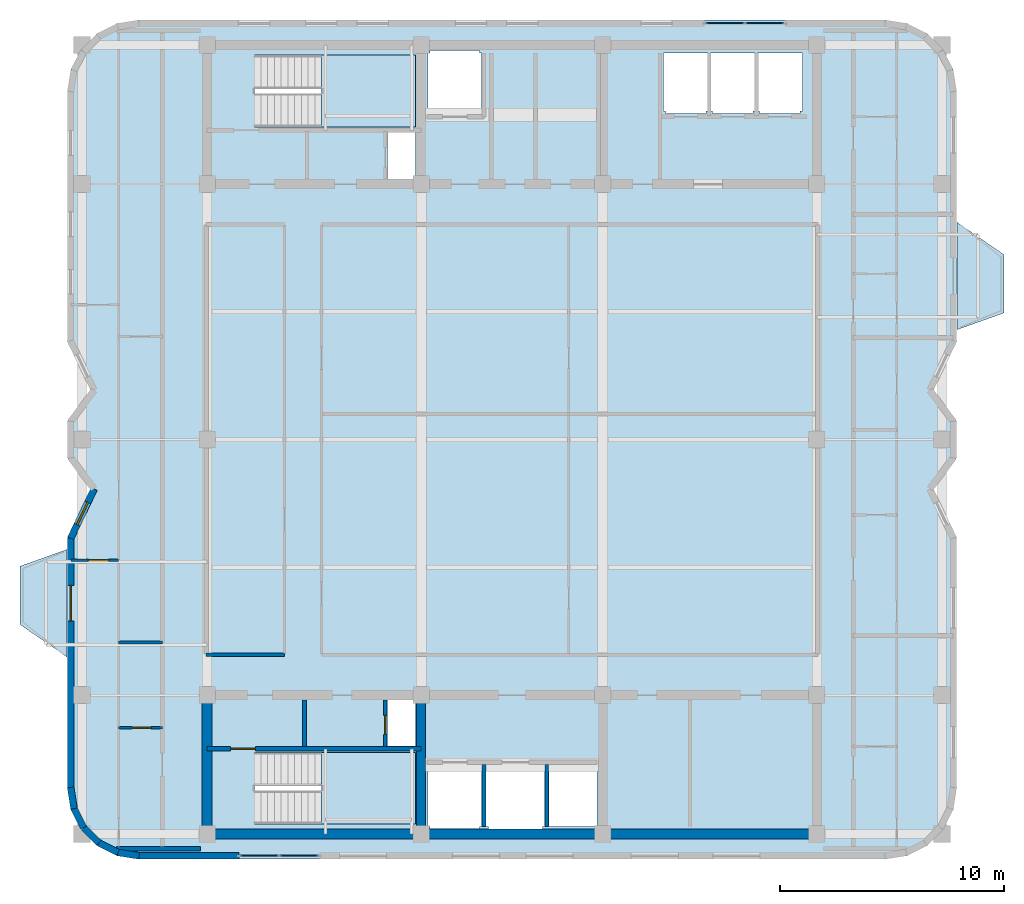
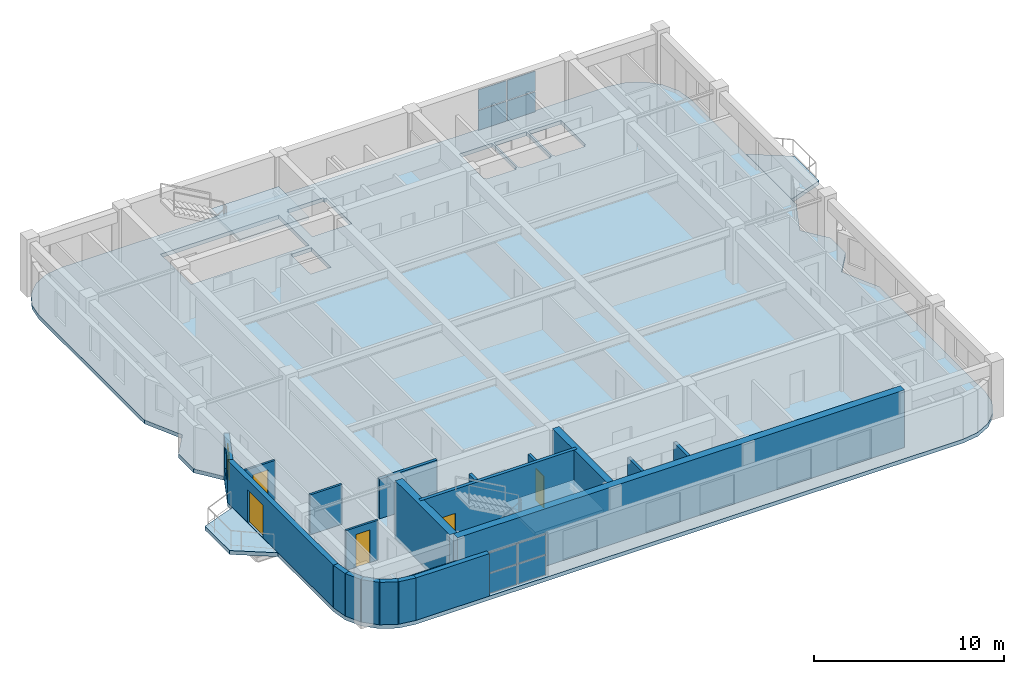
# One storey, part 5 of 11: 21 walls, 8 plates, 5 doors, 5 slabs, 1 window, 6 openings, 4 elements without a shape of their own.
"""IFC4 building model written with IfcOpenShell, lengths in metres."""

from ifc_helpers import new_model, si_unit, direction, frame, frame_2d, origin, origin_2d, place, context, subcontext, project, spatial, polyline, rectangle, outline, extrude, material, layer, layer_set, type_object, element, fill, aggregate, save


model = new_model("IFC4")

# Units and contexts
model_context = context("Model", 3, precision=1e-05, world=origin(), true_north=direction((0.0, 1.0)))
body_context = subcontext(model_context, "Body", "Model", "MODEL_VIEW")
ifc_project = project(units=[si_unit("LENGTHUNIT", "METRE"), si_unit("AREAUNIT", "SQUARE_METRE"), si_unit("VOLUMEUNIT", "CUBIC_METRE"), si_unit("PLANEANGLEUNIT", "RADIAN"), si_unit("MASSUNIT", "GRAM", prefix="KILO")], contexts=[model_context])

# Site, building, storey
site_placement = place(None, origin())
site = spatial("IfcSite", under=ifc_project, at=site_placement, CompositionType="ELEMENT")
building_placement = place(site_placement, origin())
building = spatial("IfcBuilding", under=site, at=building_placement, Name="Svetorya Sky Lyceum", CompositionType="ELEMENT")
storey_placement = place(building_placement, frame((0.0, 0.0, 275.0)))
storey = spatial("IfcBuildingStorey", under=building, at=storey_placement, Name="L69", CompositionType="ELEMENT", Elevation=275.0)

# Curtain wall, plates
ifc_material_1 = material(Name="Thermally broken anodized aluminium and triple low-E glass", Category="aluminium")
curtain_wall_type = type_object("IfcCurtainWallType", Name="CW3-LOG-RES", PredefinedType="NOTDEFINED", material=ifc_material_1)
curtain_wall_1_placement = place(storey_placement, origin())
curtain_wall_1 = element("IfcCurtainWall", 1, at=curtain_wall_1_placement, inside=storey, type_object=curtain_wall_type, Name="L69 Recessed Loggia Curtain Wall 6", PredefinedType="NOTDEFINED")
ifc_material_2 = material(Name="Triple insulated low-E solar-control glass", Category="glass")
ifc_layer_1 = layer(ifc_material_2, 0.048095703125)
ifc_layer_set_1 = layer_set([ifc_layer_1], Name="Triple insulated low-E solar-control glass")
plate_type = type_object("IfcPlateType", Name="CWP-GLZ-48", PredefinedType="CURTAIN_PANEL", material=ifc_layer_set_1)
plate_1_placement = place(storey_placement, frame((27.92626953125, 9.6298828125, 0.0634765625), z_axis=(0.0, 0.0, 1.0), x_axis=(1.0, 0.0, 0.0)))
plate_1 = element("IfcPlate", 2, at=plate_1_placement, type_object=plate_type, Name="CW-3 panel 1.1", PredefinedType="CURTAIN_PANEL", context=body_context, shape_type="SweptSolid", body=[
    extrude(rectangle(XDim=1.70556640625, YDim=0.048095703125, at=origin_2d()), origin(), (0.0, 0.0, 1.0), 1.2705078125),
])
plate_2_placement = place(storey_placement, frame((27.92626953125, 9.6298828125, 1.39599609375), z_axis=(0.0, 0.0, 1.0), x_axis=(1.0, 0.0, 0.0)))
plate_2 = element("IfcPlate", 3, at=plate_2_placement, type_object=plate_type, Name="CW-3 panel 1.2", PredefinedType="CURTAIN_PANEL", context=body_context, shape_type="SweptSolid", body=[
    extrude(rectangle(XDim=1.70556640625, YDim=0.048095703125, at=origin_2d()), origin(), (0.0, 0.0, 1.0), 1.2705078125),
])
plate_3_placement = place(storey_placement, frame((29.69384765625, 9.6298828125, 0.0634765625), z_axis=(0.0, 0.0, 1.0), x_axis=(1.0, 0.0, 0.0)))
plate_3 = element("IfcPlate", 4, at=plate_3_placement, type_object=plate_type, Name="CW-3 panel 2.1", PredefinedType="CURTAIN_PANEL", context=body_context, shape_type="SweptSolid", body=[
    extrude(rectangle(XDim=1.70556640625, YDim=0.048095703125, at=origin_2d()), origin(), (0.0, 0.0, 1.0), 1.2705078125),
])
plate_4_placement = place(storey_placement, frame((29.69384765625, 9.6298828125, 1.39599609375), z_axis=(0.0, 0.0, 1.0), x_axis=(1.0, 0.0, 0.0)))
plate_4 = element("IfcPlate", 5, at=plate_4_placement, type_object=plate_type, Name="CW-3 panel 2.2", PredefinedType="CURTAIN_PANEL", context=body_context, shape_type="SweptSolid", body=[
    extrude(rectangle(XDim=1.70556640625, YDim=0.048095703125, at=origin_2d()), origin(), (0.0, 0.0, 1.0), 1.2705078125),
])
aggregate(curtain_wall_1, [plate_1, plate_2, plate_3, plate_4])

curtain_wall_2_placement = place(storey_placement, origin())
curtain_wall_2 = element("IfcCurtainWall", 6, at=curtain_wall_2_placement, inside=storey, type_object=curtain_wall_type, Name="L69 Recessed Loggia Curtain Wall 24", PredefinedType="NOTDEFINED")
plate_5_placement = place(storey_placement, frame((50.4736328125, 46.77001953125, 0.0634765625), z_axis=(0.0, 0.0, 1.0), x_axis=(-1.0, 0.0, 0.0)))
plate_5 = element("IfcPlate", 7, at=plate_5_placement, type_object=plate_type, Name="CW-3 panel 1.1", PredefinedType="CURTAIN_PANEL", context=body_context, shape_type="SweptSolid", body=[
    extrude(rectangle(XDim=1.70556640625, YDim=0.048095703125, at=origin_2d()), origin(), (0.0, 0.0, 1.0), 1.2705078125),
])
plate_6_placement = place(storey_placement, frame((50.4736328125, 46.77001953125, 1.39599609375), z_axis=(0.0, 0.0, 1.0), x_axis=(-1.0, 0.0, 0.0)))
plate_6 = element("IfcPlate", 8, at=plate_6_placement, type_object=plate_type, Name="CW-3 panel 1.2", PredefinedType="CURTAIN_PANEL", context=body_context, shape_type="SweptSolid", body=[
    extrude(rectangle(XDim=1.70556640625, YDim=0.048095703125, at=origin_2d()), origin(), (0.0, 0.0, 1.0), 1.2705078125),
])
plate_7_placement = place(storey_placement, frame((48.706298828125, 46.77001953125, 0.0634765625), z_axis=(0.0, 0.0, 1.0), x_axis=(-1.0, 0.0, 0.0)))
plate_7 = element("IfcPlate", 9, at=plate_7_placement, type_object=plate_type, Name="CW-3 panel 2.1", PredefinedType="CURTAIN_PANEL", context=body_context, shape_type="SweptSolid", body=[
    extrude(rectangle(XDim=1.70556640625, YDim=0.048095703125, at=origin_2d()), origin(), (0.0, 0.0, 1.0), 1.2705078125),
])
plate_8_placement = place(storey_placement, frame((48.706298828125, 46.77001953125, 1.39599609375), z_axis=(0.0, 0.0, 1.0), x_axis=(-1.0, 0.0, 0.0)))
plate_8 = element("IfcPlate", 10, at=plate_8_placement, type_object=plate_type, Name="CW-3 panel 2.2", PredefinedType="CURTAIN_PANEL", context=body_context, shape_type="SweptSolid", body=[
    extrude(rectangle(XDim=1.70556640625, YDim=0.048095703125, at=origin_2d()), origin(), (0.0, 0.0, 1.0), 1.2705078125),
])
aggregate(curtain_wall_2, [plate_5, plate_6, plate_7, plate_8])

# Slabs
ifc_material_3 = material(Name="Concrete C40/50", Category="concrete")
ifc_layer_2 = layer(ifc_material_3, 0.25)
ifc_layer_set_2 = layer_set([ifc_layer_2], Name="Concrete C40/50")
slab_type_1 = type_object("IfcSlabType", Name="SL-BAL-250", PredefinedType="FLOOR", material=ifc_layer_set_2)
slab_1_placement = place(storey_placement, frame((0.0, 0.0, -0.25)))
element("IfcSlab", 11, at=slab_1_placement, inside=storey, type_object=slab_type_1, Name="L69 Chamfered Loggia Balcony BAL-W1", PredefinedType="FLOOR", context=body_context, shape_type="SweptSolid", body=[
    extrude(outline(polyline([(19.35009765625, 18.5), (19.35009765625, 23.300048828125), (17.25, 22.550048828125), (17.25, 19.949951171875), (19.35009765625, 18.5)])), origin(), (0.0, 0.0, 1.0), 0.25),
])
slab_2_placement = place(storey_placement, frame((0.0, 0.0, -0.25)))
element("IfcSlab", 12, at=slab_2_placement, inside=storey, type_object=slab_type_1, Name="L69 Chamfered Loggia Balcony BAL-E1", PredefinedType="FLOOR", context=body_context, shape_type="SweptSolid", body=[
    extrude(outline(polyline([(59.050048828125, 33.10009765625), (61.14990234375, 33.85009765625), (61.14990234375, 36.449951171875), (59.050048828125, 37.89990234375), (59.050048828125, 33.10009765625)])), origin(), (0.0, 0.0, 1.0), 0.25),
])

# Stair, slab
stair_type_1 = type_object("IfcStairType", Name="STR-ST-S", PredefinedType="HALF_TURN_STAIR", material=ifc_material_3)
stair_1_placement = place(storey_placement, origin())
stair_1 = element("IfcStair", 13, at=stair_1_placement, inside=storey, type_object=stair_type_1, Name="L69 South Core Smoke-Free Exit Stair N2", PredefinedType="HALF_TURN_STAIR")
ifc_layer_3 = layer(ifc_material_3, 0.199951171875)
ifc_layer_set_3 = layer_set([ifc_layer_3], Name="Concrete C40/50")
slab_type_2 = type_object("IfcSlabType", Name="SL-STR-LAND-200", PredefinedType="LANDING", material=ifc_layer_set_3)
slab_3_placement = place(storey_placement, frame((0.0, 0.0, 1.64990234375)))
slab_3 = element("IfcSlab", 14, at=slab_3_placement, type_object=slab_type_2, Name="ST-S landing 1", PredefinedType="LANDING", context=body_context, shape_type="SweptSolid", body=[
    extrude(outline(polyline([(30.699951171875, 11.050048828125), (34.89990234375, 11.050048828125), (34.89990234375, 14.25), (30.699951171875, 14.25), (30.699951171875, 11.050048828125)])), origin(), (0.0, 0.0, 1.0), 0.2001953125),
])
aggregate(stair_1, [slab_3])

stair_type_2 = type_object("IfcStairType", Name="STR-ST-N", PredefinedType="HALF_TURN_STAIR", material=ifc_material_3)
stair_2_placement = place(storey_placement, origin())
stair_2 = element("IfcStair", 15, at=stair_2_placement, inside=storey, type_object=stair_type_2, Name="L69 North Core Smoke-Free Exit Stair N3", PredefinedType="HALF_TURN_STAIR")
slab_4_placement = place(storey_placement, frame((0.0, 0.0, 1.64990234375)))
slab_4 = element("IfcSlab", 16, at=slab_4_placement, type_object=slab_type_2, Name="ST-N landing 1", PredefinedType="LANDING", context=body_context, shape_type="SweptSolid", body=[
    extrude(outline(polyline([(30.699951171875, 42.14990234375), (34.89990234375, 42.14990234375), (34.89990234375, 45.35009765625), (30.699951171875, 45.35009765625), (30.699951171875, 42.14990234375)])), origin(), (0.0, 0.0, 1.0), 0.2001953125),
])
aggregate(stair_2, [slab_4])

# Slab
ifc_layer_4 = layer(ifc_material_3, 0.25)
ifc_layer_set_4 = layer_set([ifc_layer_4], Name="Concrete C40/50")
slab_type_3 = type_object("IfcSlabType", Name="SL-TWR-250", PredefinedType="FLOOR", material=ifc_layer_set_4)
slab_5_placement = place(storey_placement, frame((0.0, 0.0, -0.25)))
element("IfcSlab", 17, at=slab_5_placement, inside=storey, type_object=slab_type_3, Name="L69 Structural Floor Slab", PredefinedType="FLOOR", context=body_context, shape_type="SweptSolid", body=[
    extrude(outline(polyline([(19.360107421875, 12.679931640625), (19.5166015625, 11.691162109375), (19.97119140625, 10.799072265625), (20.67919921875, 10.091064453125), (21.571044921875, 9.63671875), (22.56005859375, 9.47998046875), (55.840087890625, 9.47998046875), (56.828857421875, 9.63671875), (57.720947265625, 10.091064453125), (58.428955078125, 10.799072265625), (58.88330078125, 11.691162109375), (59.0400390625, 12.679931640625), (59.0400390625, 23.800048828125), (57.989990234375, 26.0), (59.0400390625, 27.39990234375), (59.0400390625, 29.0), (57.989990234375, 30.39990234375), (59.0400390625, 32.60009765625), (59.0400390625, 43.719970703125), (58.88330078125, 44.708984375), (58.428955078125, 45.600830078125), (57.720947265625, 46.308837890625), (56.828857421875, 46.763427734375), (55.840087890625, 46.919921875), (22.56005859375, 46.919921875), (21.571044921875, 46.763427734375), (20.67919921875, 46.308837890625), (19.97119140625, 45.600830078125), (19.5166015625, 44.708984375), (19.360107421875, 43.719970703125), (19.360107421875, 32.60009765625), (20.409912109375, 30.39990234375), (19.360107421875, 29.0), (19.360107421875, 27.39990234375), (20.409912109375, 26.0), (19.360107421875, 23.800048828125), (19.360107421875, 12.679931640625)]), holes=[polyline([(37.85009765625, 10.949951171875), (37.75, 10.949951171875), (37.75, 10.85009765625), (35.550048828125, 10.85009765625), (35.550048828125, 10.949951171875), (35.449951171875, 10.949951171875), (35.449951171875, 13.64990234375), (35.550048828125, 13.64990234375), (37.75, 13.64990234375), (37.85009765625, 13.64990234375), (37.85009765625, 10.949951171875)]), polyline([(38.14990234375, 10.800048828125), (38.14990234375, 10.949951171875), (38.050048828125, 10.949951171875), (38.050048828125, 13.64990234375), (38.14990234375, 13.64990234375), (38.14990234375, 13.699951171875), (40.550048828125, 13.699951171875), (40.550048828125, 13.64990234375), (40.64990234375, 13.64990234375), (40.64990234375, 10.949951171875), (40.550048828125, 10.949951171875), (40.550048828125, 10.800048828125), (38.14990234375, 10.800048828125)]), polyline([(27.719970703125, 11.050048828125), (27.719970703125, 14.25), (34.89990234375, 14.25), (34.89990234375, 11.050048828125), (27.719970703125, 11.050048828125)]), polyline([(33.64990234375, 14.52001953125), (33.64990234375, 16.580078125), (34.89990234375, 16.580078125), (34.89990234375, 14.52001953125), (33.64990234375, 14.52001953125)]), polyline([(33.64990234375, 39.820068359375), (33.64990234375, 41.89990234375), (34.89990234375, 41.89990234375), (34.89990234375, 39.820068359375), (33.64990234375, 39.820068359375)]), polyline([(27.719970703125, 42.14990234375), (27.719970703125, 45.35009765625), (34.89990234375, 45.35009765625), (34.89990234375, 42.14990234375), (27.719970703125, 42.14990234375)]), polyline([(37.75, 42.75), (35.550048828125, 42.75), (35.449951171875, 42.75), (35.449951171875, 45.449951171875), (35.550048828125, 45.449951171875), (35.550048828125, 45.550048828125), (37.75, 45.550048828125), (37.75, 45.449951171875), (37.85009765625, 45.449951171875), (37.85009765625, 42.75), (37.75, 42.75)]), polyline([(40.85009765625, 10.949951171875), (40.85009765625, 13.64990234375), (43.0, 13.64990234375), (43.0, 10.949951171875), (40.85009765625, 10.949951171875)]), polyline([(46.050048828125, 42.75), (46.050048828125, 42.85009765625), (45.949951171875, 42.85009765625), (45.949951171875, 45.449951171875), (46.050048828125, 45.449951171875), (47.85009765625, 45.449951171875), (47.949951171875, 45.449951171875), (47.949951171875, 42.85009765625), (47.85009765625, 42.85009765625), (47.85009765625, 42.75), (46.050048828125, 42.75)]), polyline([(50.050048828125, 42.85009765625), (49.949951171875, 42.85009765625), (49.949951171875, 42.75), (48.14990234375, 42.75), (48.14990234375, 42.85009765625), (48.050048828125, 42.85009765625), (48.050048828125, 45.449951171875), (48.14990234375, 45.449951171875), (49.949951171875, 45.449951171875), (50.050048828125, 45.449951171875), (50.050048828125, 42.85009765625)]), polyline([(52.14990234375, 42.85009765625), (52.050048828125, 42.85009765625), (52.050048828125, 42.75), (50.25, 42.75), (50.25, 42.85009765625), (50.14990234375, 42.85009765625), (50.14990234375, 45.449951171875), (50.25, 45.449951171875), (52.050048828125, 45.449951171875), (52.14990234375, 45.449951171875), (52.14990234375, 42.85009765625)])]), origin(), (0.0, 0.0, 1.0), 0.25),
])

# Walls
ifc_layer_5 = layer(ifc_material_3, 0.39990234375)
ifc_layer_set_5 = layer_set([ifc_layer_5], Name="Concrete C40/50")
wall_type_1 = type_object("IfcWallType", Name="WL-CORE-400", PredefinedType="SHEAR", material=ifc_layer_set_5)
wall_1_placement = place(storey_placement, frame((35.14990234375, 10.824951171875, 0.0), z_axis=(0.0, 0.0, 1.0), x_axis=(0.0, 1.0, 0.0)))
element("IfcWall", 18, at=wall_1_placement, inside=storey, type_object=wall_type_1, Name="L69 SC Internal Shear Web WEB1", PredefinedType="SHEAR", context=body_context, shape_type="SweptSolid", body=[
    extrude(rectangle(XDim=5.75, YDim=0.39990234375, at=frame_2d((2.875, 0.0))), origin(), (0.0, 0.0, 1.0), 3.699951171875),
])
ifc_material_4 = material(Name="Concrete C50/60", Category="concrete")
ifc_layer_6 = layer(ifc_material_4, 0.449951171875)
ifc_layer_set_6 = layer_set([ifc_layer_6], Name="Concrete C50/60")
wall_type_2 = type_object("IfcWallType", Name="WL-CORE-450", PredefinedType="SHEAR", material=ifc_layer_set_6)
wall_2_placement = place(storey_placement, frame((52.800048828125, 10.60009765625, 0.0), z_axis=(0.0, 0.0, 1.0), x_axis=(-1.0, 0.0, 0.0)))
element("IfcWall", 19, at=wall_2_placement, inside=storey, type_object=wall_type_2, Name="L69 SC Outer Core Shear Wall", PredefinedType="SHEAR", context=body_context, shape_type="SweptSolid", body=[
    extrude(rectangle(XDim=27.199951171875, YDim=0.449951171875, at=frame_2d((13.60009765625, 0.0))), origin(), (0.0, 0.0, 1.0), 3.699951171875),
])
wall_3_placement = place(storey_placement, frame((25.60009765625, 10.824951171875, 0.0), z_axis=(0.0, 0.0, 1.0), x_axis=(0.0, 1.0, 0.0)))
element("IfcWall", 20, at=wall_3_placement, inside=storey, type_object=wall_type_2, Name="L69 SC West Core Shear Wall", PredefinedType="SHEAR", context=body_context, shape_type="SweptSolid", body=[
    extrude(rectangle(XDim=5.75, YDim=0.449951171875, at=frame_2d((2.875, 0.0))), origin(), (0.0, 0.0, 1.0), 3.699951171875),
])
ifc_material_5 = material(Name="Putilovo limestone rainscreen on autoclaved cellular masonry", Category="masonry")
ifc_layer_7 = layer(ifc_material_5, 0.300048828125)
ifc_layer_set_7 = layer_set([ifc_layer_7], Name="Putilovo limestone rainscreen on autoclaved cellular masonry")
wall_type_3 = type_object("IfcWallType", Name="WL-EXT-300", PredefinedType="SOLIDWALL", material=ifc_layer_set_7)
wall_4_placement = place(storey_placement, frame((19.510009765625, 12.679931640625, 0.0), z_axis=(0.0, 0.0, 1.0), x_axis=(0.156343617883, -0.987702725088, 0.0)))
element("IfcWall", 21, at=wall_4_placement, inside=storey, type_object=wall_type_3, Name="L69 Limestone Exterior Wall 1M", PredefinedType="SOLIDWALL", context=body_context, shape_type="SweptSolid", body=[
    extrude(rectangle(XDim=0.9541015625, YDim=0.300048828125, at=frame_2d((0.47705078125, 0.0))), origin(), (0.0, 0.0, 1.0), 2.72998046875),
])
for number, where, z_axis, x_axis, name in (
    (22, (19.6591796875, 11.737548828125, 0.0), (0.0, 0.0, 1.0), (0.454056065666, -0.890973113642, 0.0), "L69 Limestone Exterior Wall 2M"),
    (23, (20.092529296875, 10.88720703125, 0.0), (0.0, 0.0, 1.0), (0.707106781187, -0.707106781187, 0.0), "L69 Limestone Exterior Wall 3M"),
):
    element("IfcWall", number, at=place(storey_placement, frame(where, z_axis=z_axis, x_axis=x_axis)), inside=storey, type_object=wall_type_3, Name=name, PredefinedType="SOLIDWALL", context=body_context, shape_type="SweptSolid", body=[
        extrude(rectangle(XDim=0.954345703125, YDim=0.300048828125, at=frame_2d((0.47705078125, 0.0))), origin(), (0.0, 0.0, 1.0), 2.72998046875),
    ])
wall_5_placement = place(storey_placement, frame((20.767333984375, 10.21240234375, 0.0), z_axis=(0.0, 0.0, 1.0), x_axis=(0.891023873617, -0.45395644796, 0.0)))
element("IfcWall", 24, at=wall_5_placement, inside=storey, type_object=wall_type_3, Name="L69 Limestone Exterior Wall 4M", PredefinedType="SOLIDWALL", context=body_context, shape_type="SweptSolid", body=[
    extrude(rectangle(XDim=0.9541015625, YDim=0.300048828125, at=frame_2d((0.47705078125, 0.0))), origin(), (0.0, 0.0, 1.0), 2.72998046875),
])
wall_6_placement = place(storey_placement, frame((21.617431640625, 9.779296875, 0.0), z_axis=(0.0, 0.0, 1.0), x_axis=(0.987669453596, -0.156553666304, 0.0)))
element("IfcWall", 25, at=wall_6_placement, inside=storey, type_object=wall_type_3, Name="L69 Limestone Exterior Wall 5M", PredefinedType="SOLIDWALL", context=body_context, shape_type="SweptSolid", body=[
    extrude(rectangle(XDim=0.954345703125, YDim=0.300048828125, at=frame_2d((0.47705078125, 0.0))), origin(), (0.0, 0.0, 1.0), 2.72998046875),
])
wall_7_placement = place(storey_placement, frame((22.56005859375, 9.6298828125, 0.0), z_axis=(0.0, 0.0, 1.0), x_axis=(1.0, 0.0, 0.0)))
element("IfcWall", 26, at=wall_7_placement, inside=storey, type_object=wall_type_3, Name="L69 Limestone Exterior Wall 6A", PredefinedType="SOLIDWALL", context=body_context, shape_type="SweptSolid", body=[
    extrude(rectangle(XDim=4.449951171875, YDim=0.300048828125, at=frame_2d((2.22509765625, 0.0))), origin(), (0.0, 0.0, 1.0), 2.72998046875),
])

# Wall, opening, window
wall_8_placement = place(storey_placement, frame((20.56005859375, 26.0, 0.0), z_axis=(0.0, 0.0, 1.0), x_axis=(-0.430753686581, -0.902469534941, 0.0)))
wall_8 = element("IfcWall", 27, at=wall_8_placement, inside=storey, type_object=wall_type_3, Name="L69 Limestone Exterior Wall 35M", PredefinedType="SOLIDWALL", context=body_context, shape_type="SweptSolid", body=[
    extrude(rectangle(XDim=2.437744140625, YDim=0.300048828125, at=frame_2d((1.21875, 0.0))), origin(), (0.0, 0.0, 1.0), 2.72998046875),
])
opening_1_placement = place(wall_8_placement, frame((0.6689453125, 0.0, 0.919921875)))
opening_1 = element("IfcOpeningElement", 28, at=opening_1_placement, cuts=wall_8, Name="Opening W-R3", PredefinedType="OPENING", context=body_context, shape_type="SweptSolid", body=[
    extrude(rectangle(XDim=1.10009765625, YDim=1.64990234375, at=frame_2d((0.550048828125, 0.824951171875))), frame((0.0, 0.159912109375, 0.0), z_axis=(0.0, -1.0, 0.0), x_axis=(1.0, 0.0, 0.0)), (0.0, 0.0, 1.0), 0.320068359375),
])
ifc_material_6 = material(Name="Thermally broken aluminium frame with triple low-E glazing", Category="aluminium")
window_type = type_object("IfcWindowType", Name="WN-RES-110", PartitioningType="SINGLE_PANEL", PredefinedType="WINDOW", material=ifc_material_6)
window_placement = place(opening_1_placement, origin())
window = element("IfcWindow", 29, at=window_placement, inside=storey, type_object=window_type, Name="L69 Facade Window W-R3.35M.1", OverallHeight=1.64990234375, OverallWidth=1.10009765625, PartitioningType="SINGLE_PANEL", PredefinedType="WINDOW", context=body_context, shape_type="SweptSolid", body=[
    extrude(rectangle(XDim=1.10009765625, YDim=1.64990234375, at=frame_2d((0.550048828125, 0.824951171875))), frame((0.0, 0.030029296875, 0.0), z_axis=(0.0, -1.0, 0.0), x_axis=(1.0, 0.0, 0.0)), (0.0, 0.0, 1.0), 0.06005859375),
])
fill(opening_1, window)

# Wall, opening, door
wall_9_placement = place(storey_placement, frame((19.510009765625, 23.800048828125, 0.0), z_axis=(0.0, 0.0, 1.0), x_axis=(0.0, -1.0, 0.0)))
wall_9 = element("IfcWall", 30, at=wall_9_placement, inside=storey, type_object=wall_type_3, Name="L69 Limestone Exterior Wall 36M", PredefinedType="SOLIDWALL", context=body_context, shape_type="SweptSolid", body=[
    extrude(rectangle(XDim=11.1201171875, YDim=0.300048828125, at=frame_2d((5.56005859375, 0.0))), origin(), (0.0, 0.0, 1.0), 2.72998046875),
])
opening_2_placement = place(wall_9_placement, frame((2.10009765625, 0.0, 0.0)))
opening_2 = element("IfcOpeningElement", 31, at=opening_2_placement, cuts=wall_9, Name="Opening D-BL1", PredefinedType="OPENING", context=body_context, shape_type="SweptSolid", body=[
    extrude(rectangle(XDim=1.60009765625, YDim=2.10009765625, at=frame_2d((0.800048828125, 1.050048828125))), frame((0.0, 0.159912109375, 0.0), z_axis=(0.0, -1.0, 0.0), x_axis=(1.0, 0.0, 0.0)), (0.0, 0.0, 1.0), 0.320068359375),
])
ifc_material_7 = material(Name="Insulated glazed aluminium balcony door", Category="aluminium")
door_type_1 = type_object("IfcDoorType", Name="DR-BAL-1600", OperationType="DOUBLE_DOOR_SINGLE_SWING", PredefinedType="DOOR", material=ifc_material_7)
door_1_placement = place(opening_2_placement, origin())
door_1 = element("IfcDoor", 32, at=door_1_placement, inside=storey, type_object=door_type_1, Name="L69 Balcony BAL-W1 Door", OperationType="DOUBLE_DOOR_SINGLE_SWING", OverallHeight=2.10009765625, OverallWidth=1.60009765625, PredefinedType="DOOR", context=body_context, shape_type="SweptSolid", body=[
    extrude(rectangle(XDim=1.60009765625, YDim=2.10009765625, at=frame_2d((0.800048828125, 1.050048828125))), frame((0.0, 0.02490234375, 0.0), z_axis=(0.0, -1.0, 0.0), x_axis=(1.0, 0.0, 0.0)), (0.0, 0.0, 1.0), 0.050048828125),
])
fill(opening_2, door_1)

ifc_material_8 = material(Name="Twin-stud galvanized framing with double fireboard", Category="gypsum")
ifc_layer_8 = layer(ifc_material_8, 0.1201171875)
ifc_layer_set_8 = layer_set([ifc_layer_8], Name="Twin-stud galvanized framing with double fireboard")
wall_type_4 = type_object("IfcWallType", Name="WL-PART-120", PredefinedType="PARTITIONING", material=ifc_layer_set_8)
wall_10_placement = place(storey_placement, frame((21.64990234375, 15.35009765625, 0.0), z_axis=(0.0, 0.0, 1.0), x_axis=(1.0, 0.0, 0.0)))
wall_10 = element("IfcWall", 33, at=wall_10_placement, inside=storey, type_object=wall_type_4, Name="L69 Interior Partition W1-WH1", PredefinedType="PARTITIONING", context=body_context, shape_type="SweptSolid", body=[
    extrude(rectangle(XDim=1.9501953125, YDim=0.1201171875, at=frame_2d((0.97509765625, 0.0))), origin(), (0.0, 0.0, 1.0), 2.56005859375),
])
opening_3_placement = place(wall_10_placement, frame((0.60009765625, 0.0, 0.0)))
opening_3 = element("IfcOpeningElement", 34, at=opening_3_placement, cuts=wall_10, Name="Opening D-BT1", PredefinedType="OPENING", context=body_context, shape_type="SweptSolid", body=[
    extrude(rectangle(XDim=0.85009765625, YDim=2.10009765625, at=frame_2d((0.425048828125, 1.050048828125))), frame((0.0, 0.070068359375, 0.0), z_axis=(0.0, -1.0, 0.0), x_axis=(1.0, 0.0, 0.0)), (0.0, 0.0, 1.0), 0.14013671875),
])
ifc_material_9 = material(Name="Moisture-resistant laminate bathroom door")
door_type_2 = type_object("IfcDoorType", Name="DR-WET-850", OperationType="SINGLE_SWING_LEFT", PredefinedType="DOOR", material=ifc_material_9)
door_2_placement = place(opening_3_placement, origin())
door_2 = element("IfcDoor", 35, at=door_2_placement, inside=storey, type_object=door_type_2, Name="Apartment W1 Bathroom Door", OperationType="SINGLE_SWING_LEFT", OverallHeight=2.10009765625, OverallWidth=0.85009765625, PredefinedType="DOOR", context=body_context, shape_type="SweptSolid", body=[
    extrude(rectangle(XDim=0.85009765625, YDim=2.10009765625, at=frame_2d((0.425048828125, 1.050048828125))), frame((0.0, 0.02490234375, 0.0), z_axis=(0.0, -1.0, 0.0), x_axis=(1.0, 0.0, 0.0)), (0.0, 0.0, 1.0), 0.050048828125),
])
fill(opening_3, door_2)

wall_11_placement = place(storey_placement, frame((19.530029296875, 22.820068359375, 0.0), z_axis=(0.0, 0.0, 1.0), x_axis=(1.0, 0.0, 0.0)))
wall_11 = element("IfcWall", 36, at=wall_11_placement, inside=storey, type_object=wall_type_4, Name="L69 Interior Partition W1-WL1", PredefinedType="PARTITIONING", context=body_context, shape_type="SweptSolid", body=[
    extrude(rectangle(XDim=2.119873046875, YDim=0.1201171875, at=frame_2d((1.06005859375, 0.0))), origin(), (0.0, 0.0, 1.0), 2.56005859375),
])
opening_4_placement = place(wall_11_placement, frame((0.77001953125, 0.0, 0.0)))
opening_4 = element("IfcOpeningElement", 37, at=opening_4_placement, cuts=wall_11, Name="Opening D-RM1", PredefinedType="OPENING", context=body_context, shape_type="SweptSolid", body=[
    extrude(rectangle(XDim=0.89990234375, YDim=2.10009765625, at=frame_2d((0.449951171875, 1.050048828125))), frame((0.0, 0.070068359375, 0.0), z_axis=(0.0, -1.0, 0.0), x_axis=(1.0, 0.0, 0.0)), (0.0, 0.0, 1.0), 0.14013671875),
])
ifc_material_10 = material(Name="Lacquered birch veneer internal door")
door_type_3 = type_object("IfcDoorType", Name="DR-INT-900", OperationType="SINGLE_SWING_LEFT", PredefinedType="DOOR", material=ifc_material_10)
door_3_placement = place(opening_4_placement, origin())
door_3 = element("IfcDoor", 38, at=door_3_placement, inside=storey, type_object=door_type_3, Name="Apartment W1 Master Bedroom Door", OperationType="SINGLE_SWING_LEFT", OverallHeight=2.10009765625, OverallWidth=0.89990234375, PredefinedType="DOOR", context=body_context, shape_type="SweptSolid", body=[
    extrude(rectangle(XDim=0.89990234375, YDim=2.10009765625, at=frame_2d((0.449951171875, 1.050048828125))), frame((0.0, 0.02490234375, 0.0), z_axis=(0.0, -1.0, 0.0), x_axis=(1.0, 0.0, 0.0)), (0.0, 0.0, 1.0), 0.050048828125),
])
fill(opening_4, door_3)

# Wall
ifc_material_11 = material(Name="Twin-stud galvanized framing with acoustic board", Category="gypsum")
ifc_layer_9 = layer(ifc_material_11, 0.135009765625)
ifc_layer_set_9 = layer_set([ifc_layer_9], Name="Twin-stud galvanized framing with acoustic board")
wall_type_5 = type_object("IfcWallType", Name="WL-PART-135", PredefinedType="PARTITIONING", material=ifc_layer_set_9)
wall_12_placement = place(storey_placement, frame((21.64990234375, 19.14990234375, 0.0), z_axis=(0.0, 0.0, 1.0), x_axis=(1.0, 0.0, 0.0)))
element("IfcWall", 39, at=wall_12_placement, inside=storey, type_object=wall_type_5, Name="L69 Interior Partition W1-WH2", PredefinedType="PARTITIONING", context=body_context, shape_type="SweptSolid", body=[
    extrude(rectangle(XDim=1.9501953125, YDim=0.135009765625, at=frame_2d((0.97509765625, 0.0))), origin(), (0.0, 0.0, 1.0), 2.56005859375),
])

# Wall, opening, door
ifc_material_12 = material(Name="Autoclaved cellular masonry blockwork with acoustic render", Category="masonry")
ifc_layer_10 = layer(ifc_material_12, 0.14990234375)
ifc_layer_set_10 = layer_set([ifc_layer_10], Name="Autoclaved cellular masonry blockwork with acoustic render")
wall_type_6 = type_object("IfcWallType", Name="WL-PART-150", PredefinedType="PARTITIONING", material=ifc_layer_set_10)
wall_13_placement = place(storey_placement, frame((33.550048828125, 14.5, 0.0), z_axis=(0.0, 0.0, 1.0), x_axis=(0.0, 1.0, 0.0)))
wall_13 = element("IfcWall", 40, at=wall_13_placement, inside=storey, type_object=wall_type_6, Name="L69 Interior Partition SC-SWD2", PredefinedType="PARTITIONING", context=body_context, shape_type="SweptSolid", body=[
    extrude(rectangle(XDim=2.080078125, YDim=0.14990234375, at=frame_2d((1.0400390625, 0.0))), origin(), (0.0, 0.0, 1.0), 2.56005859375),
])
opening_5_placement = place(wall_13_placement, frame((0.550048828125, 0.0, 0.0)))
opening_5 = element("IfcOpeningElement", 41, at=opening_5_placement, cuts=wall_13, Name="Opening D-SH1", PredefinedType="OPENING", context=body_context, shape_type="SweptSolid", body=[
    extrude(rectangle(XDim=0.85009765625, YDim=2.050048828125, at=frame_2d((0.425048828125, 1.02490234375))), frame((0.0, 0.0849609375, 0.0), z_axis=(0.0, -1.0, 0.0), x_axis=(1.0, 0.0, 0.0)), (0.0, 0.0, 1.0), 0.169921875),
])
ifc_material_13 = material(Name="Insulated galvanized riser inspection fire door")
door_type_4 = type_object("IfcDoorType", Name="DR-SHFT-850", OperationType="SINGLE_SWING_LEFT", PredefinedType="TRAPDOOR", material=ifc_material_13)
door_4_placement = place(opening_5_placement, origin())
door_4 = element("IfcDoor", 42, at=door_4_placement, inside=storey, type_object=door_type_4, Name="L69 South Riser Access Door", OperationType="SINGLE_SWING_RIGHT", OverallHeight=2.050048828125, OverallWidth=0.85009765625, PredefinedType="TRAPDOOR", context=body_context, shape_type="SweptSolid", body=[
    extrude(rectangle(XDim=0.85009765625, YDim=2.050048828125, at=frame_2d((0.425048828125, 1.02490234375))), frame((0.0, 0.02490234375, 0.0), z_axis=(0.0, -1.0, 0.0), x_axis=(1.0, 0.0, 0.0)), (0.0, 0.0, 1.0), 0.050048828125),
])
fill(opening_5, door_4)

# Walls
ifc_material_14 = material(Name="Autoclaved cellular masonry blockwork with fire render", Category="masonry")
ifc_layer_11 = layer(ifc_material_14, 0.175048828125)
ifc_layer_set_11 = layer_set([ifc_layer_11], Name="Autoclaved cellular masonry blockwork with fire render")
wall_type_7 = type_object("IfcWallType", Name="WL-PART-175", PredefinedType="PARTITIONING", material=ifc_layer_set_11)
wall_14_placement = place(storey_placement, frame((29.949951171875, 14.5, 0.0), z_axis=(0.0, 0.0, 1.0), x_axis=(0.0, 1.0, 0.0)))
element("IfcWall", 43, at=wall_14_placement, inside=storey, type_object=wall_type_7, Name="L69 Interior Partition SC-SWD1", PredefinedType="PARTITIONING", context=body_context, shape_type="SweptSolid", body=[
    extrude(rectangle(XDim=2.080078125, YDim=0.175048828125, at=frame_2d((1.0400390625, 0.0))), origin(), (0.0, 0.0, 1.0), 2.56005859375),
])
for number, where, z_axis, x_axis, name in (
    (44, (37.949951171875, 10.949951171875, 0.0), (0.0, 0.0, 1.0), (0.0, 1.0, 0.0), "L69 Interior Partition SC-SHD1"),
    (45, (40.75, 10.949951171875, 0.0), (0.0, 0.0, 1.0), (0.0, 1.0, 0.0), "L69 Interior Partition SC-SHD2"),
):
    element("IfcWall", number, at=place(storey_placement, frame(where, z_axis=z_axis, x_axis=x_axis)), inside=storey, type_object=wall_type_7, Name=name, PredefinedType="PARTITIONING", context=body_context, shape_type="SweptSolid", body=[
        extrude(rectangle(XDim=2.75, YDim=0.175048828125, at=frame_2d((1.375, 0.0))), origin(), (0.0, 0.0, 1.0), 2.56005859375),
    ])
wall_15_placement = place(storey_placement, frame((25.550048828125, 18.60009765625, 0.0), z_axis=(0.0, 0.0, 1.0), x_axis=(1.0, 0.0, 0.0)))
element("IfcWall", 46, at=wall_15_placement, inside=storey, type_object=wall_type_7, Name="L69 Interior Partition OFF-CS-W", PredefinedType="PARTITIONING", context=body_context, shape_type="SweptSolid", body=[
    extrude(rectangle(XDim=3.5, YDim=0.175048828125, at=frame_2d((1.75, 0.0))), origin(), (0.0, 0.0, 1.0), 2.56005859375),
])
ifc_material_15 = material(Name="Autoclaved cellular masonry blockwork with gypsum plaster", Category="masonry")
ifc_layer_12 = layer(ifc_material_15, 0.199951171875)
ifc_layer_set_12 = layer_set([ifc_layer_12], Name="Autoclaved cellular masonry blockwork with gypsum plaster")
wall_type_8 = type_object("IfcWallType", Name="WL-PART-200", PredefinedType="PARTITIONING", material=ifc_layer_set_12)
wall_16_placement = place(storey_placement, frame((21.5458984375, 9.949951171875, 0.0), z_axis=(0.0, 0.0, 1.0), x_axis=(1.0, 0.0, 0.0)))
element("IfcWall", 47, at=wall_16_placement, inside=storey, type_object=wall_type_8, Name="L69 Interior Partition W-CAP-S", PredefinedType="PARTITIONING", context=body_context, shape_type="SweptSolid", body=[
    extrude(rectangle(XDim=3.754150390625, YDim=0.199951171875, at=frame_2d((1.876953125, 0.0))), origin(), (0.0, 0.0, 1.0), 2.56005859375),
])

# Wall, opening, door
ifc_layer_13 = layer(ifc_material_4, 0.199951171875)
ifc_layer_set_13 = layer_set([ifc_layer_13], Name="Concrete C50/60")
wall_type_9 = type_object("IfcWallType", Name="WL-SHW-200", PredefinedType="SHEAR", material=ifc_layer_set_13)
wall_17_placement = place(storey_placement, frame((25.60009765625, 14.39990234375, 0.0), z_axis=(0.0, 0.0, 1.0), x_axis=(1.0, 0.0, 0.0)))
wall_17 = element("IfcWall", 48, at=wall_17_placement, inside=storey, type_object=wall_type_9, Name="L69 Structural Stair Shaft Wall SC-STW", PredefinedType="SHEAR", context=body_context, shape_type="SweptSolid", body=[
    extrude(rectangle(XDim=9.5498046875, YDim=0.199951171875, at=frame_2d((4.77490234375, 0.0))), origin(), (0.0, 0.0, 1.0), 3.699951171875),
])
opening_6_placement = place(wall_17_placement, frame((1.050048828125, 0.0, 0.0)))
opening_6 = element("IfcOpeningElement", 49, at=opening_6_placement, cuts=wall_17, Name="Opening D-ST1", PredefinedType="OPENING", context=body_context, shape_type="SweptSolid", body=[
    extrude(rectangle(XDim=1.10009765625, YDim=2.14990234375, at=frame_2d((0.550048828125, 1.074951171875))), frame((0.0, 0.10986328125, 0.0), z_axis=(0.0, -1.0, 0.0), x_axis=(1.0, 0.0, 0.0)), (0.0, 0.0, 1.0), 0.219970703125),
])
ifc_material_16 = material(Name="Powder-coated insulated galvanized stair fire door")
door_type_5 = type_object("IfcDoorType", Name="DR-FIRE-1100", OperationType="SINGLE_SWING_LEFT", PredefinedType="DOOR", material=ifc_material_16)
door_5_placement = place(opening_6_placement, origin())
door_5 = element("IfcDoor", 50, at=door_5_placement, inside=storey, type_object=door_type_5, Name="L69 Stair ST-S Vestibule Fire Door", OperationType="SINGLE_SWING_LEFT", OverallHeight=2.14990234375, OverallWidth=1.10009765625, PredefinedType="DOOR", context=body_context, shape_type="SweptSolid", body=[
    extrude(rectangle(XDim=1.10009765625, YDim=2.14990234375, at=frame_2d((0.550048828125, 1.074951171875))), frame((0.0, 0.02490234375, 0.0), z_axis=(0.0, -1.0, 0.0), x_axis=(1.0, 0.0, 0.0)), (0.0, 0.0, 1.0), 0.050048828125),
])
fill(opening_6, door_5)

save(model, "model.ifc")
